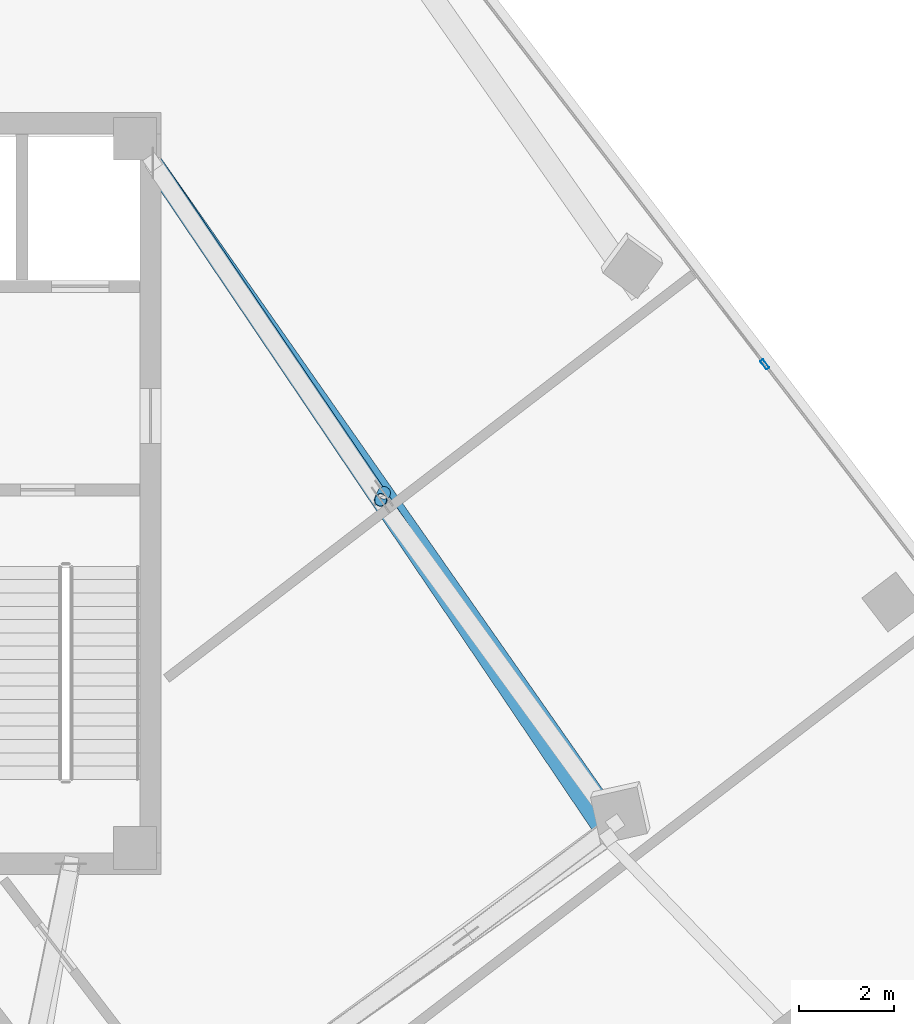
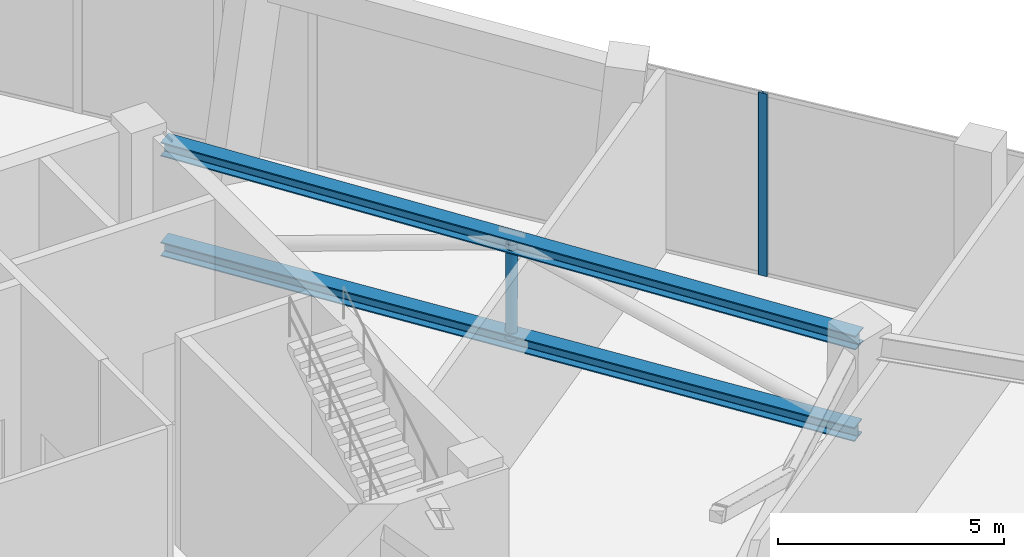
# One storey, part 9 of 19: 4 members, 1 element without a shape of its own.
"""IFC4 building model written with IfcOpenShell, lengths in metres."""

from ifc_helpers import new_model, si_unit, direction, frame, origin, origin_2d, place, context, subcontext, project, spatial, hollow_rectangle, hollow_circle, i_section, extrude, source, transform, mapped, material, material_profile, profile_set, type_object, element, aggregate, save


model = new_model("IFC4")

# Units and contexts
model_context = context("Model", 3, precision=1e-05, world=origin(), true_north=direction((0.0, 1.0)))
body_context = subcontext(model_context, "Body", "Model", "MODEL_VIEW")
ifc_project = project(units=[si_unit("LENGTHUNIT", "METRE"), si_unit("AREAUNIT", "SQUARE_METRE"), si_unit("VOLUMEUNIT", "CUBIC_METRE"), si_unit("PLANEANGLEUNIT", "RADIAN"), si_unit("MASSUNIT", "GRAM", prefix="KILO")], contexts=[model_context])

# Site, building, storey
site_placement = place(None, origin())
site = spatial("IfcSite", under=ifc_project, at=site_placement, CompositionType="ELEMENT")
building_placement = place(site_placement, origin())
building = spatial("IfcBuilding", under=site, at=building_placement, Name="Torre Montelarca", CompositionType="ELEMENT")
storey_placement = place(building_placement, frame((0.0, 0.0, 287.800048828125)))
storey = spatial("IfcBuildingStorey", under=building, at=storey_placement, Name="L65", CompositionType="ELEMENT", Elevation=287.800048828125)

# Members
ifc_material_1 = material(Name="Steel ASTM A500 Grade C", Category="steel")
ifc_material_profile_1 = material_profile(ifc_material_1, hollow_circle(Radius=0.136474609375, WallThickness=0.0126953125, at=origin_2d()), Name="HSS273.1X12.7", Category="steel")
ifc_profile_set_1 = profile_set([ifc_material_profile_1], Name="Steel ASTM A500 Grade C")
member_type_1 = type_object("IfcMemberType", Name="MB-ST-CHS273", PredefinedType="STRUT", material=ifc_profile_set_1)
shared_shape_1 = source(origin(), body_context, "Body", "SweptSolid", [
    extrude(hollow_circle(Radius=0.136474609375, WallThickness=0.0126953125, at=origin_2d()), origin(), (0.0, 0.0, 1.0), 2.704833984375),
])
member_1_placement = place(storey_placement, frame((31.677490234375, 32.008056640625, 2.75), z_axis=(-0.025363194863, -0.054517329884, 0.998190647666), x_axis=(0.906681059932, -0.42181685073, 0.0)))
element("IfcMember", 1, at=member_1_placement, inside=storey, type_object=member_type_1, Name="L65 Outrigger King Strut 2", PredefinedType="STRUT", context=body_context, shape_type="MappedRepresentation", body=[
    mapped(shared_shape_1, transform((0.0, 0.0, 0.0), scale=1.0)),
])
ifc_material_2 = material(Name="Steel ASTM A992 Grade 50", Category="steel")
ifc_material_profile_2 = material_profile(ifc_material_2, i_section(OverallWidth=0.39501953125, OverallDepth=0.3798828125, WebThickness=0.018798828125, FlangeThickness=0.0302734375, FilletRadius=0.014892578125, at=origin_2d()), Name="W360X237", Category="steel")
ifc_profile_set_2 = profile_set([ifc_material_profile_2], Name="Steel ASTM A992 Grade 50")
member_type_2 = type_object("IfcMemberType", Name="MB-CH-W360X237", PredefinedType="CHORD", material=ifc_profile_set_2)
shared_shape_2 = source(origin(), body_context, "Body", "SweptSolid", [
    extrude(i_section(OverallWidth=0.39501953125, OverallDepth=0.3798828125, WebThickness=0.018798828125, FlangeThickness=0.0302734375, FilletRadius=0.014892578125, at=origin_2d()), origin(), (0.0, 0.0, 1.0), 16.9453125),
])
member_2_placement = place(storey_placement, frame((26.820068359375, 38.949951171875, 2.75), z_axis=(0.573295048883, -0.819349001907, 0.0), x_axis=(0.819349001907, 0.573295048883, 0.0)))
element("IfcMember", 2, at=member_2_placement, inside=storey, type_object=member_type_2, Name="L65 Outrigger Bottom Chord 2", PredefinedType="CHORD", context=body_context, shape_type="MappedRepresentation", body=[
    mapped(shared_shape_2, transform((0.0, 0.0, 0.0), scale=1.0)),
])
shared_shape_3 = source(origin(), body_context, "Body", "SweptSolid", [
    extrude(i_section(OverallWidth=0.39501953125, OverallDepth=0.3798828125, WebThickness=0.018798828125, FlangeThickness=0.0302734375, FilletRadius=0.014892578125, at=origin_2d()), origin(), (0.0, 0.0, 1.0), 17.11083984375),
])
member_3_placement = place(storey_placement, frame((26.820068359375, 38.949951171875, 5.449951171875), z_axis=(0.559757329157, -0.828656582943, 0.0), x_axis=(0.828656582943, 0.559757329157, 0.0)))
element("IfcMember", 3, at=member_3_placement, inside=storey, type_object=member_type_2, Name="L65 Outrigger Top Chord 2", PredefinedType="CHORD", context=body_context, shape_type="MappedRepresentation", body=[
    mapped(shared_shape_3, transform((0.0, 0.0, 0.0), scale=1.0)),
])

# Curtain wall, member
ifc_material_3 = material(Name="Insulated low-E laminated glass", Category="glass")
curtain_wall_type = type_object("IfcCurtainWallType", Name="CW-SYS-Z3", PredefinedType="USERDEFINED", material=ifc_material_3)
curtain_wall_placement = place(storey_placement, origin())
curtain_wall = element("IfcCurtainWall", 4, at=curtain_wall_placement, inside=storey, type_object=curtain_wall_type, Name="L65 Curtain Wall Run CW-T3-L65-E08-B1", ObjectType="UNITISED GLAZING", PredefinedType="USERDEFINED")
ifc_material_4 = material(Name="Anodised aluminium AA 6063-T6", Category="aluminium")
ifc_material_profile_3 = material_profile(ifc_material_4, hollow_rectangle(XDim=0.074951171875, YDim=0.219970703125, WallThickness=0.0048828125, InnerFilletRadius=0.0048828125, OuterFilletRadius=0.010009765625, at=origin_2d()), Name="ALU75X220X5", Category="aluminium")
ifc_profile_set_3 = profile_set([ifc_material_profile_3], Name="Anodised aluminium AA 6063-T6")
member_type_3 = type_object("IfcMemberType", Name="CWM-ALU220", PredefinedType="MULLION", material=ifc_profile_set_3)
shared_shape_4 = source(origin(), body_context, "Body", "SweptSolid", [
    extrude(hollow_rectangle(XDim=0.074951171875, YDim=0.219970703125, WallThickness=0.0048828125, InnerFilletRadius=0.0048828125, OuterFilletRadius=0.010009765625, at=origin_2d()), origin(), (0.0, 0.0, 1.0), 4.93505859375),
])
member_4_placement = place(storey_placement, frame((39.67578125, 34.710693359375, 0.0), z_axis=(0.0, 0.0, 1.0), x_axis=(-0.793353857957, -0.608760754373, 0.0)))
member_4 = element("IfcMember", 5, at=member_4_placement, type_object=member_type_3, Name="CW mullion 2", PredefinedType="MULLION", context=body_context, shape_type="MappedRepresentation", body=[
    mapped(shared_shape_4, transform((0.0, 0.0, 0.0), scale=1.0)),
])
aggregate(curtain_wall, [member_4])

save(model, "model.ifc")
